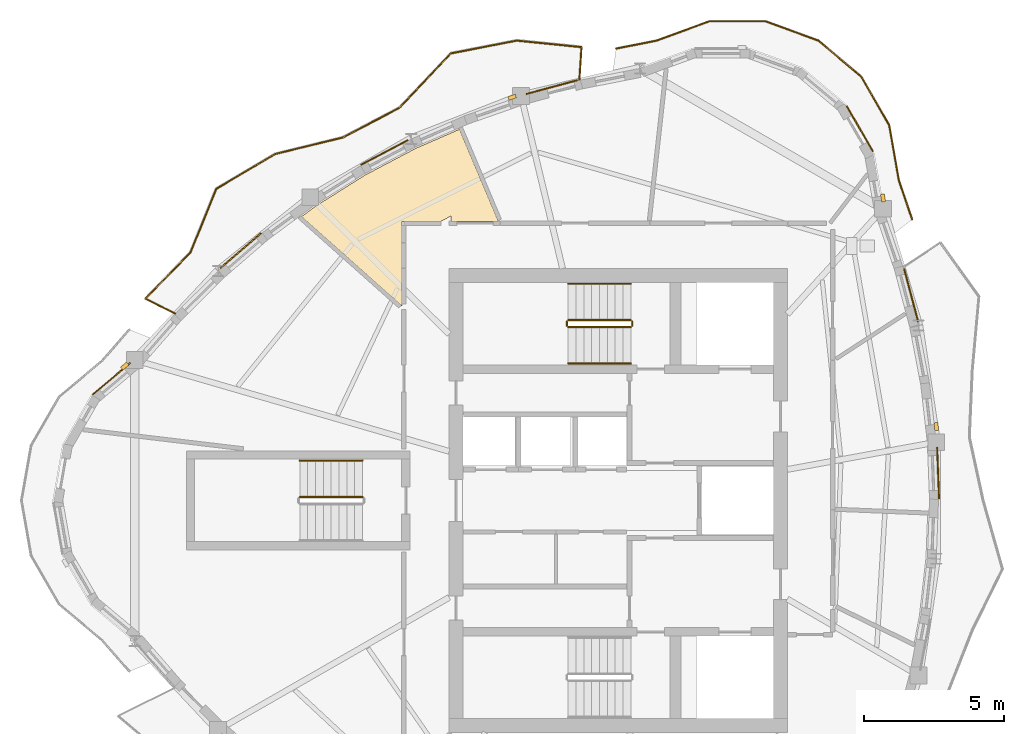
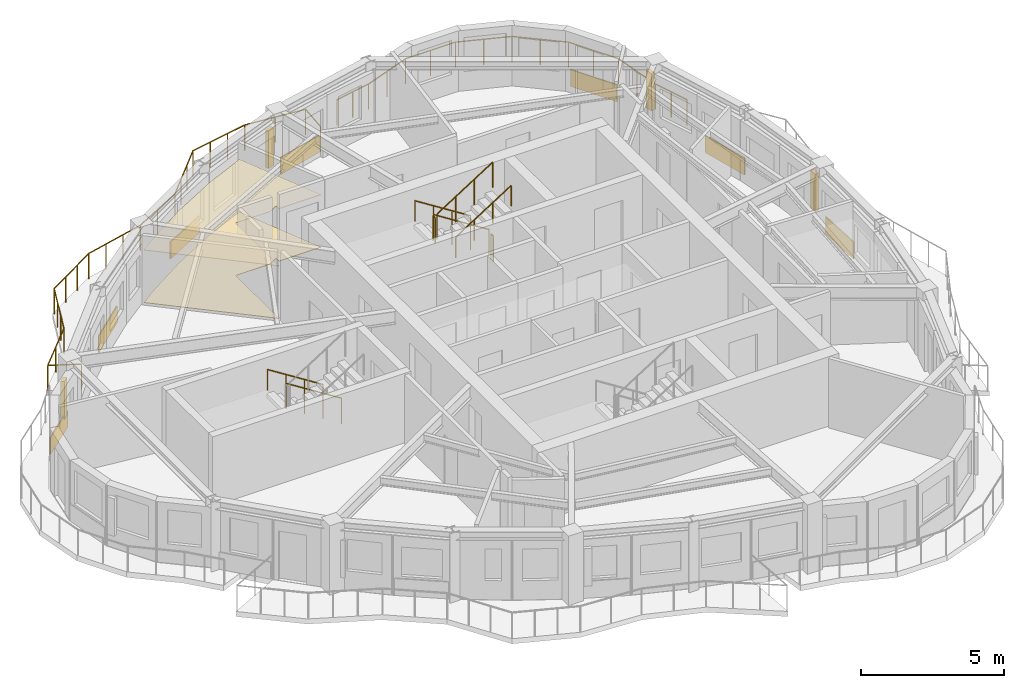
# One storey, part 10 of 12: 10 railings, 9 coverings, 4 shading devices.
"""IFC4 building model written with IfcOpenShell, lengths in metres."""

from ifc_helpers import new_model, si_unit, direction, frame, origin, origin_2d, place, context, subcontext, project, spatial, polyline, rectangle, circle, outline, extrude, source, transform, mapped, material, layer, layer_set, type_object, element, save


model = new_model("IFC4")

# Units and contexts
model_context = context("Model", 3, precision=1e-05, world=origin(), true_north=direction((0.0, 1.0)))
body_context = subcontext(model_context, "Body", "Model", "MODEL_VIEW")
ifc_project = project(units=[si_unit("LENGTHUNIT", "METRE"), si_unit("AREAUNIT", "SQUARE_METRE"), si_unit("VOLUMEUNIT", "CUBIC_METRE"), si_unit("PLANEANGLEUNIT", "RADIAN"), si_unit("MASSUNIT", "GRAM", prefix="KILO")], contexts=[model_context])

# Site, building, storey
site_placement = place(None, origin())
site = spatial("IfcSite", under=ifc_project, at=site_placement, CompositionType="ELEMENT")
building_placement = place(site_placement, origin())
building = spatial("IfcBuilding", under=site, at=building_placement, Name="Qafzar Sky-Pleat Residences", CompositionType="ELEMENT")
storey_placement = place(building_placement, frame((0.0, 0.0, 224.39990234375)))
storey = spatial("IfcBuildingStorey", under=building, at=storey_placement, Name="L67", CompositionType="ELEMENT", Elevation=224.39990234375)

# Coverings
ifc_material_1 = material(Name="Perforated acoustic gypsum board ceiling")
ifc_layer_1 = layer(ifc_material_1, 0.02001953125)
ifc_layer_set_1 = layer_set([ifc_layer_1], Name="Perforated acoustic gypsum board ceiling")
covering_type_1 = type_object("IfcCoveringType", Name="COV-CEIL-ACOUSTIC", PredefinedType="CEILING", material=ifc_layer_set_1)
covering_1_placement = place(storey_placement, frame((0.0, 0.0, 2.239990234375)))
element("IfcCovering", 1, at=covering_1_placement, inside=storey, type_object=covering_type_1, Name="L67 Co-Living Lounge Acoustic Ceiling", PredefinedType="CEILING", context=body_context, shape_type="SweptSolid", body=[
    extrude(outline(polyline([(19.53955078125, 36.53759765625), (21.282958984375, 37.634521484375), (23.1044921875, 38.595703125), (24.669677734375, 39.276123046875), (26.063720703125, 35.97998046875), (24.360107421875, 35.97998046875), (24.360107421875, 36.17138671875), (23.997314453125, 35.97998046875), (22.6201171875, 35.97998046875), (22.6201171875, 32.951171875), (19.018798828125, 36.152099609375), (19.53955078125, 36.53759765625)])), origin(), (0.0, 0.0, 1.0), 0.02001953125),
])
ifc_material_2 = material(Name="Honed porcelain and Riyadh stone tile flooring", Category="masonry")
ifc_layer_2 = layer(ifc_material_2, 0.02001953125)
ifc_layer_set_2 = layer_set([ifc_layer_2], Name="Honed porcelain and Riyadh stone tile flooring")
covering_type_2 = type_object("IfcCoveringType", Name="COV-FLR-PORCELAIN", PredefinedType="FLOORING", material=ifc_layer_set_2)
covering_2_placement = place(storey_placement, origin())
element("IfcCovering", 2, at=covering_2_placement, inside=storey, type_object=covering_type_2, Name="L67 Co-Living Lounge Honed Stone Flooring", PredefinedType="FLOORING", context=body_context, shape_type="SweptSolid", body=[
    extrude(outline(polyline([(19.53955078125, 36.53759765625), (21.282958984375, 37.634521484375), (23.1044921875, 38.595703125), (24.669677734375, 39.276123046875), (26.063720703125, 35.97998046875), (24.360107421875, 35.97998046875), (24.360107421875, 36.17138671875), (23.997314453125, 35.97998046875), (22.6201171875, 35.97998046875), (22.6201171875, 32.951171875), (19.018798828125, 36.152099609375), (19.53955078125, 36.53759765625)])), origin(), (0.0, 0.0, 1.0), 0.02001953125),
])

# Shading devices
ifc_material_3 = material(Name="Honed Riyadh limestone solar fin", Category="masonry")
ifc_layer_3 = layer(ifc_material_3, 0.139892578125)
ifc_layer_set_3 = layer_set([ifc_layer_3], Name="Honed Riyadh limestone solar fin")
shading_device_type = type_object("IfcShadingDeviceType", Name="SHD-FIN-STONE", PredefinedType="SHUTTER", material=ifc_layer_set_3)
shared_shape_1 = source(origin(), body_context, "Body", "SweptSolid", [
    extrude(rectangle(XDim=0.139892578125, YDim=0.280029296875, at=origin_2d()), origin(), (0.0, 0.0, 1.0), 1.60009765625),
])
for number, where, z_axis, x_axis, name in (
    (3, (12.6982421875, 30.808349609375, 0.60009765625), (0.0, 0.0, 1.0), (-0.642754210861, 0.76607246682, 0.0), "L67 Limestone Solar Fin 1"),
    (4, (41.72705078125, 28.64404296875, 0.60009765625), (0.0, 0.0, 1.0), (0.993560733934, 0.113300785454, 0.0), "L67 Limestone Solar Fin 29"),
    (5, (39.8203125, 36.8173828125, 0.60009765625), (0.0, 0.0, 1.0), (0.984806040716, 0.173657888303, 0.0), "L67 Limestone Solar Fin 33"),
    (6, (26.555419921875, 40.423828125, 0.60009765625), (0.0, 0.0, 1.0), (-0.329574239936, 0.944129662902, 0.0), "L67 Limestone Solar Fin 41"),
):
    element("IfcShadingDevice", number, at=place(storey_placement, frame(where, z_axis=z_axis, x_axis=x_axis)), inside=storey, type_object=shading_device_type, Name=name, PredefinedType="SHUTTER", context=body_context, shape_type="MappedRepresentation", body=[
        mapped(shared_shape_1, transform((0.0, 0.0, 0.0), x_axis=(1.0, 0.0, 0.0), y_axis=(0.0, 1.0, 0.0), z_axis=(0.0, 0.0, 1.0), scale=1.0)),
    ])

# Coverings
ifc_material_4 = material(Name="Honed Riyadh Tuwaiq limestone cladding", Category="masonry")
ifc_layer_4 = layer(ifc_material_4, 0.044921875)
ifc_layer_set_4 = layer_set([ifc_layer_4], Name="Honed Riyadh Tuwaiq limestone cladding")
covering_type_3 = type_object("IfcCoveringType", Name="COV-CLAD-STONE", PredefinedType="CLADDING", material=ifc_layer_set_4)
shared_shape_2 = source(origin(), body_context, "Body", "SweptSolid", [
    extrude(rectangle(XDim=1.881103515625, YDim=0.044921875, at=origin_2d()), origin(), (0.0, 0.0, 1.0), 0.719970703125),
])
covering_3_placement = place(storey_placement, frame((38.98828125, 39.298095703125, 0.02001953125), z_axis=(0.0, 0.0, 1.0), x_axis=(-0.499993018474, 0.866029434533, 0.0)))
element("IfcCovering", 7, at=covering_3_placement, inside=storey, type_object=covering_type_3, Name="L67 Riyadh Limestone Spandrel Cladding 34", PredefinedType="CLADDING", context=body_context, shape_type="MappedRepresentation", body=[
    mapped(shared_shape_2, transform((0.0, 0.0, 0.0), x_axis=(1.0, 0.0, 0.0), y_axis=(0.0, 1.0, 0.0), z_axis=(0.0, 0.0, 1.0), scale=1.0)),
])
shared_shape_3 = source(origin(), body_context, "Body", "SweptSolid", [
    extrude(rectangle(XDim=1.76611328125, YDim=0.044921875, at=origin_2d()), origin(), (0.0, 0.0, 1.0), 0.719970703125),
])
covering_4_placement = place(storey_placement, frame((12.22021484375, 30.351318359375, 0.02001953125), z_axis=(0.0, 0.0, 1.0), x_axis=(-0.76607417096, -0.642752179762, 0.0)))
element("IfcCovering", 8, at=covering_4_placement, inside=storey, type_object=covering_type_3, Name="L67 Riyadh Limestone Spandrel Cladding 1", PredefinedType="CLADDING", context=body_context, shape_type="MappedRepresentation", body=[
    mapped(shared_shape_3, transform((0.0, 0.0, 0.0), x_axis=(1.0, 0.0, 0.0), y_axis=(0.0, 1.0, 0.0), z_axis=(0.0, 0.0, 1.0), scale=1.0)),
])

# Railings
ifc_material_5 = material(Name="Laminated glass and bronze steel balustrade", Category="steel")
railing_type_1 = type_object("IfcRailingType", Name="RAIL-BAL-1100", PredefinedType="BALUSTRADE", material=ifc_material_5)
shared_shape_4 = source(origin(), body_context, "Body", "SweptSolid", [
    extrude(circle(Radius=0.02392578125, at=origin_2d()), frame((0.0, 0.0, 1.076171875), z_axis=(0.063836302809, 0.997960383203, 0.0), x_axis=(-0.997960383203, 0.063836302809, 0.0)), (0.0, 0.0, 1.0), 1.177978515625),
    extrude(circle(Radius=0.02392578125, at=origin_2d()), frame((0.0751953125, 1.175537109375, 1.076171875), z_axis=(-0.994932736042, 0.10054278071, 0.0), x_axis=(-0.10054278071, -0.994932736042, 0.0)), (0.0, 0.0, 1.0), 2.326171875),
    extrude(circle(Radius=0.02392578125, at=origin_2d()), frame((-2.2392578125, 1.409423828125, 1.076171875), z_axis=(-0.981652948308, -0.190676398848, 0.0), x_axis=(0.190676398848, -0.981652948308, 0.0)), (0.0, 0.0, 1.0), 2.400634765625),
    extrude(circle(Radius=0.02392578125, at=origin_2d()), frame((-4.595947265625, 0.95166015625, 1.076171875), z_axis=(-0.687908056889, -0.725797840495, 0.0), x_axis=(0.725797840495, -0.687908056889, 0.0)), (0.0, 0.0, 1.0), 2.693359375),
    extrude(circle(Radius=0.02392578125, at=origin_2d()), frame((-6.44873046875, -1.003173828125, 1.076171875), z_axis=(-0.88578094694, -0.464103559605, 0.0), x_axis=(0.464103559605, -0.88578094694, 0.0)), (0.0, 0.0, 1.0), 2.267333984375),
    extrude(circle(Radius=0.02392578125, at=origin_2d()), frame((-8.45703125, -2.055419921875, 1.076171875), z_axis=(-0.971598054586, -0.236637318117, 0.0), x_axis=(0.236637318117, -0.971598054586, 0.0)), (0.0, 0.0, 1.0), 2.4853515625),
    extrude(circle(Radius=0.02392578125, at=origin_2d()), frame((-10.871826171875, -2.6435546875, 1.076171875), z_axis=(-0.861050876523, -0.508518817783, 0.0), x_axis=(0.508518817783, -0.861050876523, 0.0)), (0.0, 0.0, 1.0), 2.4619140625),
    extrude(circle(Radius=0.02392578125, at=origin_2d()), frame((-12.99169921875, -3.8955078125, 1.076171875), z_axis=(-0.374628309725, -0.927175080312, 0.0), x_axis=(0.927175080312, -0.374628309725, 0.0)), (0.0, 0.0, 1.0), 2.442626953125),
    extrude(circle(Radius=0.02392578125, at=origin_2d()), frame((-13.90673828125, -6.16015625, 1.076171875), z_axis=(-0.695284786917, -0.718734349452, 0.0), x_axis=(0.718734349452, -0.695284786917, 0.0)), (0.0, 0.0, 1.0), 2.32177734375),
    extrude(circle(Radius=0.02392578125, at=origin_2d()), frame((-15.52099609375, -7.828857421875, 1.076171875), z_axis=(0.896038070146, -0.443977225596, 0.0), x_axis=(0.443977225596, 0.896038070146, 0.0)), (0.0, 0.0, 1.0), 1.177978515625),
    extrude(circle(Radius=0.02099609375, at=origin_2d()), origin(), (0.0, 0.0, 1.0), 1.052001953125),
    extrude(circle(Radius=0.02099609375, at=origin_2d()), frame((0.0751953125, 1.175537109375, 0.0)), (0.0, 0.0, 1.0), 1.052001953125),
    extrude(circle(Radius=0.02099609375, at=origin_2d()), frame((-1.08203125, 1.29248046875, 0.0)), (0.0, 0.0, 1.0), 1.052001953125),
    extrude(circle(Radius=0.02099609375, at=origin_2d()), frame((-2.2392578125, 1.409423828125, 0.0)), (0.0, 0.0, 1.0), 1.052001953125),
    extrude(circle(Radius=0.02099609375, at=origin_2d()), frame((-3.02490234375, 1.2568359375, 0.0)), (0.0, 0.0, 1.0), 1.052001953125),
    extrude(circle(Radius=0.02099609375, at=origin_2d()), frame((-3.810302734375, 1.104248046875, 0.0)), (0.0, 0.0, 1.0), 1.052001953125),
    extrude(circle(Radius=0.02099609375, at=origin_2d()), frame((-4.595947265625, 0.95166015625, 0.0)), (0.0, 0.0, 1.0), 1.052001953125),
    extrude(circle(Radius=0.02099609375, at=origin_2d()), frame((-5.213623046875, 0.300048828125, 0.0)), (0.0, 0.0, 1.0), 1.052001953125),
    extrude(circle(Radius=0.02099609375, at=origin_2d()), frame((-5.8310546875, -0.3515625, 0.0)), (0.0, 0.0, 1.0), 1.052001953125),
    extrude(circle(Radius=0.02099609375, at=origin_2d()), frame((-6.44873046875, -1.003173828125, 0.0)), (0.0, 0.0, 1.0), 1.052001953125),
    extrude(circle(Radius=0.02099609375, at=origin_2d()), frame((-7.452880859375, -1.529296875, 0.0)), (0.0, 0.0, 1.0), 1.052001953125),
    extrude(circle(Radius=0.02099609375, at=origin_2d()), frame((-8.45703125, -2.055419921875, 0.0)), (0.0, 0.0, 1.0), 1.052001953125),
    extrude(circle(Radius=0.02099609375, at=origin_2d()), frame((-9.261962890625, -2.25146484375, 0.0)), (0.0, 0.0, 1.0), 1.052001953125),
    extrude(circle(Radius=0.02099609375, at=origin_2d()), frame((-10.06689453125, -2.447509765625, 0.0)), (0.0, 0.0, 1.0), 1.052001953125),
    extrude(circle(Radius=0.02099609375, at=origin_2d()), frame((-10.871826171875, -2.6435546875, 0.0)), (0.0, 0.0, 1.0), 1.052001953125),
    extrude(circle(Radius=0.02099609375, at=origin_2d()), frame((-11.578369140625, -3.060791015625, 0.0)), (0.0, 0.0, 1.0), 1.052001953125),
    extrude(circle(Radius=0.02099609375, at=origin_2d()), frame((-12.28515625, -3.478271484375, 0.0)), (0.0, 0.0, 1.0), 1.052001953125),
    extrude(circle(Radius=0.02099609375, at=origin_2d()), frame((-12.99169921875, -3.8955078125, 0.0)), (0.0, 0.0, 1.0), 1.052001953125),
    extrude(circle(Radius=0.02099609375, at=origin_2d()), frame((-13.296630859375, -4.650390625, 0.0)), (0.0, 0.0, 1.0), 1.052001953125),
    extrude(circle(Radius=0.02099609375, at=origin_2d()), frame((-13.601806640625, -5.4052734375, 0.0)), (0.0, 0.0, 1.0), 1.052001953125),
    extrude(circle(Radius=0.02099609375, at=origin_2d()), frame((-13.90673828125, -6.16015625, 0.0)), (0.0, 0.0, 1.0), 1.052001953125),
    extrude(circle(Radius=0.02099609375, at=origin_2d()), frame((-14.7138671875, -6.99462890625, 0.0)), (0.0, 0.0, 1.0), 1.052001953125),
    extrude(circle(Radius=0.02099609375, at=origin_2d()), frame((-15.52099609375, -7.828857421875, 0.0)), (0.0, 0.0, 1.0), 1.052001953125),
    extrude(circle(Radius=0.02099609375, at=origin_2d()), frame((-14.465576171875, -8.351806640625, 0.0)), (0.0, 0.0, 1.0), 1.052001953125),
])
railing_1_placement = place(storey_placement, frame((28.959716796875, 41.041015625, 0.0)))
element("IfcRailing", 9, at=railing_1_placement, inside=storey, type_object=railing_type_1, Name="L67 Pleated Balcony 2 Balustrade", PredefinedType="BALUSTRADE", context=body_context, shape_type="MappedRepresentation", body=[
    mapped(shared_shape_4, transform((0.0, 0.0, 0.0), x_axis=(1.0, 0.0, 0.0), y_axis=(0.0, 1.0, 0.0), z_axis=(0.0, 0.0, 1.0), scale=1.0)),
])
shared_shape_5 = source(origin(), body_context, "Body", "SweptSolid", [
    extrude(circle(Radius=0.02392578125, at=origin_2d()), frame((0.0, 0.0, 1.076171875), z_axis=(0.981044131941, 0.193784445155, 0.0), x_axis=(-0.193784445155, 0.981044131941, 0.0)), (0.0, 0.0, 1.0), 1.47021484375),
    extrude(circle(Radius=0.02392578125, at=origin_2d()), frame((1.4423828125, 0.284912109375, 1.076171875), z_axis=(0.93922125306, 0.343312449237, 0.0), x_axis=(-0.343312449237, 0.93922125306, 0.0)), (0.0, 0.0, 1.0), 2.01025390625),
    extrude(circle(Radius=0.02392578125, at=origin_2d()), frame((3.33056640625, 0.97509765625, 1.076171875), z_axis=(0.999999527671, 0.000971934907, 0.0), x_axis=(-0.000971934907, 0.999999527671, 0.0)), (0.0, 0.0, 1.0), 2.009521484375),
    extrude(circle(Radius=0.02392578125, at=origin_2d()), frame((5.340087890625, 0.97705078125, 1.076171875), z_axis=(0.939807614371, -0.341704035636, 0.0), x_axis=(0.341704035636, 0.939807614371, 0.0)), (0.0, 0.0, 1.0), 2.009033203125),
    extrude(circle(Radius=0.02392578125, at=origin_2d()), frame((7.228271484375, 0.29052734375, 1.076171875), z_axis=(0.76585564406, -0.64301254456, 0.0), x_axis=(0.64301254456, 0.76585564406, 0.0)), (0.0, 0.0, 1.0), 2.00927734375),
    extrude(circle(Radius=0.02392578125, at=origin_2d()), frame((8.76708984375, -1.00146484375, 1.076171875), z_axis=(0.499119285715, -0.866533287663, 0.0), x_axis=(0.866533287663, 0.499119285715, 0.0)), (0.0, 0.0, 1.0), 2.00927734375),
    extrude(circle(Radius=0.02392578125, at=origin_2d()), frame((9.77001953125, -2.74267578125, 1.076171875), z_axis=(0.17230963809, -0.985042835932, 0.0), x_axis=(0.985042835932, 0.17230963809, 0.0)), (0.0, 0.0, 1.0), 2.010498046875),
    extrude(circle(Radius=0.02392578125, at=origin_2d()), frame((10.116455078125, -4.72314453125, 1.076171875), z_axis=(0.322646879195, -0.946519408858, 0.0), x_axis=(0.946519408858, 0.322646879195, 0.0)), (0.0, 0.0, 1.0), 1.47021484375),
    extrude(circle(Radius=0.02099609375, at=origin_2d()), origin(), (0.0, 0.0, 1.0), 1.052001953125),
    extrude(circle(Radius=0.02099609375, at=origin_2d()), frame((0.72119140625, 0.142578125, 0.0)), (0.0, 0.0, 1.0), 1.052001953125),
    extrude(circle(Radius=0.02099609375, at=origin_2d()), frame((1.4423828125, 0.284912109375, 0.0)), (0.0, 0.0, 1.0), 1.052001953125),
    extrude(circle(Radius=0.02099609375, at=origin_2d()), frame((2.386474609375, 0.6298828125, 0.0)), (0.0, 0.0, 1.0), 1.052001953125),
    extrude(circle(Radius=0.02099609375, at=origin_2d()), frame((3.33056640625, 0.97509765625, 0.0)), (0.0, 0.0, 1.0), 1.052001953125),
    extrude(circle(Radius=0.02099609375, at=origin_2d()), frame((4.33544921875, 0.97607421875, 0.0)), (0.0, 0.0, 1.0), 1.052001953125),
    extrude(circle(Radius=0.02099609375, at=origin_2d()), frame((5.340087890625, 0.97705078125, 0.0)), (0.0, 0.0, 1.0), 1.052001953125),
    extrude(circle(Radius=0.02099609375, at=origin_2d()), frame((6.2841796875, 0.6337890625, 0.0)), (0.0, 0.0, 1.0), 1.052001953125),
    extrude(circle(Radius=0.02099609375, at=origin_2d()), frame((7.228271484375, 0.29052734375, 0.0)), (0.0, 0.0, 1.0), 1.052001953125),
    extrude(circle(Radius=0.02099609375, at=origin_2d()), frame((7.99755859375, -0.35546875, 0.0)), (0.0, 0.0, 1.0), 1.052001953125),
    extrude(circle(Radius=0.02099609375, at=origin_2d()), frame((8.76708984375, -1.00146484375, 0.0)), (0.0, 0.0, 1.0), 1.052001953125),
    extrude(circle(Radius=0.02099609375, at=origin_2d()), frame((9.2685546875, -1.8720703125, 0.0)), (0.0, 0.0, 1.0), 1.052001953125),
    extrude(circle(Radius=0.02099609375, at=origin_2d()), frame((9.77001953125, -2.74267578125, 0.0)), (0.0, 0.0, 1.0), 1.052001953125),
    extrude(circle(Radius=0.02099609375, at=origin_2d()), frame((9.943359375, -3.73291015625, 0.0)), (0.0, 0.0, 1.0), 1.052001953125),
    extrude(circle(Radius=0.02099609375, at=origin_2d()), frame((10.116455078125, -4.72314453125, 0.0)), (0.0, 0.0, 1.0), 1.052001953125),
    extrude(circle(Radius=0.02099609375, at=origin_2d()), frame((10.353515625, -5.4189453125, 0.0)), (0.0, 0.0, 1.0), 1.052001953125),
    extrude(circle(Radius=0.02099609375, at=origin_2d()), frame((10.5908203125, -6.11474609375, 0.0)), (0.0, 0.0, 1.0), 1.052001953125),
])
railing_2_placement = place(storey_placement, frame((30.271728515625, 42.1640625, 0.0)))
element("IfcRailing", 10, at=railing_2_placement, inside=storey, type_object=railing_type_1, Name="L67 Corner Terrace 2 Balustrade", PredefinedType="BALUSTRADE", context=body_context, shape_type="MappedRepresentation", body=[
    mapped(shared_shape_5, transform((0.0, 0.0, 0.0), x_axis=(1.0, 0.0, 0.0), y_axis=(0.0, 1.0, 0.0), z_axis=(0.0, 0.0, 1.0), scale=1.0)),
])

# Coverings
shared_shape_6 = source(origin(), body_context, "Body", "SweptSolid", [
    extrude(rectangle(XDim=1.832275390625, YDim=0.044921875, at=origin_2d()), origin(), (0.0, 0.0, 1.0), 0.719970703125),
])
covering_5_placement = place(storey_placement, frame((41.789306640625, 26.97998046875, 0.02001953125), z_axis=(0.0, 0.0, 1.0), x_axis=(-0.037970925953, 0.999278844358, 0.0)))
element("IfcCovering", 11, at=covering_5_placement, inside=storey, type_object=covering_type_3, Name="L67 Riyadh Limestone Spandrel Cladding 28", PredefinedType="CLADDING", context=body_context, shape_type="MappedRepresentation", body=[
    mapped(shared_shape_6, transform((0.0, 0.0, 0.0), x_axis=(1.0, 0.0, 0.0), y_axis=(0.0, 1.0, 0.0), z_axis=(0.0, 0.0, 1.0), scale=1.0)),
])
shared_shape_7 = source(origin(), body_context, "Body", "SweptSolid", [
    extrude(rectangle(XDim=1.958984375, YDim=0.044921875, at=origin_2d()), origin(), (0.0, 0.0, 1.0), 0.719970703125),
])
covering_6_placement = place(storey_placement, frame((40.8271484375, 33.335693359375, 0.02001953125), z_axis=(0.0, 0.0, 1.0), x_axis=(-0.257036396739, 0.966401723276, 0.0)))
element("IfcCovering", 12, at=covering_6_placement, inside=storey, type_object=covering_type_3, Name="L67 Riyadh Limestone Spandrel Cladding 31", PredefinedType="CLADDING", context=body_context, shape_type="MappedRepresentation", body=[
    mapped(shared_shape_7, transform((0.0, 0.0, 0.0), x_axis=(1.0, 0.0, 0.0), y_axis=(0.0, 1.0, 0.0), z_axis=(0.0, 0.0, 1.0), scale=1.0)),
])
shared_shape_8 = source(origin(), body_context, "Body", "SweptSolid", [
    extrude(rectangle(XDim=1.89599609375, YDim=0.044921875, at=origin_2d()), origin(), (0.0, 0.0, 1.0), 0.719970703125),
])
covering_7_placement = place(storey_placement, frame((27.972900390625, 40.78564453125, 0.02001953125), z_axis=(0.0, 0.0, 1.0), x_axis=(-0.965462520828, -0.260541975268, 0.0)))
element("IfcCovering", 13, at=covering_7_placement, inside=storey, type_object=covering_type_3, Name="L67 Riyadh Limestone Spandrel Cladding 40", PredefinedType="CLADDING", context=body_context, shape_type="MappedRepresentation", body=[
    mapped(shared_shape_8, transform((0.0, 0.0, 0.0), x_axis=(1.0, 0.0, 0.0), y_axis=(0.0, 1.0, 0.0), z_axis=(0.0, 0.0, 1.0), scale=1.0)),
])
shared_shape_9 = source(origin(), body_context, "Body", "SweptSolid", [
    extrude(rectangle(XDim=1.895263671875, YDim=0.044921875, at=origin_2d()), origin(), (0.0, 0.0, 1.0), 0.719970703125),
])
covering_8_placement = place(storey_placement, frame((21.985107421875, 38.4482421875, 0.02001953125), z_axis=(0.0, 0.0, 1.0), x_axis=(-0.884380941117, -0.466765841713, 0.0)))
element("IfcCovering", 14, at=covering_8_placement, inside=storey, type_object=covering_type_3, Name="L67 Riyadh Limestone Spandrel Cladding 43", PredefinedType="CLADDING", context=body_context, shape_type="MappedRepresentation", body=[
    mapped(shared_shape_9, transform((0.0, 0.0, 0.0), x_axis=(1.0, 0.0, 0.0), y_axis=(0.0, 1.0, 0.0), z_axis=(0.0, 0.0, 1.0), scale=1.0)),
])
shared_shape_10 = source(origin(), body_context, "Body", "SweptSolid", [
    extrude(rectangle(XDim=1.927490234375, YDim=0.044921875, at=origin_2d()), origin(), (0.0, 0.0, 1.0), 0.719970703125),
])
covering_9_placement = place(storey_placement, frame((16.84619140625, 34.9365234375, 0.02001953125), z_axis=(0.0, 0.0, 1.0), x_axis=(-0.757470479573, -0.652869414643, 0.0)))
element("IfcCovering", 15, at=covering_9_placement, inside=storey, type_object=covering_type_3, Name="L67 Riyadh Limestone Spandrel Cladding 46", PredefinedType="CLADDING", context=body_context, shape_type="MappedRepresentation", body=[
    mapped(shared_shape_10, transform((0.0, 0.0, 0.0), x_axis=(1.0, 0.0, 0.0), y_axis=(0.0, 1.0, 0.0), z_axis=(0.0, 0.0, 1.0), scale=1.0)),
])

# Railings
ifc_material_6 = material(Name="Painted Steel S355 stair guardrail", Category="steel")
railing_type_2 = type_object("IfcRailingType", Name="RAIL-STAIR-GUARD", PredefinedType="GUARDRAIL", material=ifc_material_6)
shared_shape_11 = source(origin(), body_context, "Body", "SweptSolid", [
    extrude(circle(Radius=0.02392578125, at=origin_2d()), frame((0.0, 0.0, 1.076171875), z_axis=(0.0, -1.0, 0.0), x_axis=(1.0, 0.0, 0.0)), (0.0, 0.0, 1.0), 0.14990234375),
    extrude(circle(Radius=0.02099609375, at=origin_2d()), origin(), (0.0, 0.0, 1.0), 1.052001953125),
    extrude(circle(Radius=0.02099609375, at=origin_2d()), frame((0.0, -0.14990234375, 0.0)), (0.0, 0.0, 1.0), 1.052001953125),
])
for number, where, name in (
    (16, (28.510009765625, 32.39990234375, 1.60009765625), "L67 ST2 stair guard 2"),
    (17, (30.85009765625, 32.39990234375, 0.0), "L67 ST2 stair guard 4"),
):
    element("IfcRailing", number, at=place(storey_placement, frame(where)), inside=storey, type_object=railing_type_2, Name=name, PredefinedType="GUARDRAIL", context=body_context, shape_type="MappedRepresentation", body=[
        mapped(shared_shape_11, transform((0.0, 0.0, 0.0), x_axis=(1.0, 0.0, 0.0), y_axis=(0.0, 1.0, 0.0), z_axis=(0.0, 0.0, 1.0), scale=1.0)),
    ])
shared_shape_12 = source(origin(), body_context, "Body", "SweptSolid", [
    extrude(circle(Radius=0.02392578125, at=origin_2d()), frame((0.0, 0.0, 1.076171875), z_axis=(-0.8442293374, 0.0, 0.53598211339), x_axis=(0.0, -1.0, 0.0)), (0.0, 0.0, 1.0), 2.6533203125),
    extrude(circle(Radius=0.02099609375, at=origin_2d()), origin(), (0.0, 0.0, 1.0), 1.052001953125),
    extrude(circle(Radius=0.02099609375, at=origin_2d()), frame((-0.74658203125, 0.0, 0.47412109375)), (0.0, 0.0, 1.0), 1.052001953125),
    extrude(circle(Radius=0.02099609375, at=origin_2d()), frame((-1.493408203125, 0.0, 0.947998046875)), (0.0, 0.0, 1.0), 1.052001953125),
    extrude(circle(Radius=0.02099609375, at=origin_2d()), frame((-2.239990234375, 0.0, 1.422119140625)), (0.0, 0.0, 1.0), 1.052001953125),
])
for number, where, name in (
    (18, (30.800048828125, 32.449951171875, 0.177978515625), "L67 ST2 stair guard 1"),
    (19, (21.199951171875, 26.125, 0.177978515625), "L67 ST3 stair guard 1"),
):
    element("IfcRailing", number, at=place(storey_placement, frame(where)), inside=storey, type_object=railing_type_2, Name=name, PredefinedType="GUARDRAIL", context=body_context, shape_type="MappedRepresentation", body=[
        mapped(shared_shape_12, transform((0.0, 0.0, 0.0), x_axis=(1.0, 0.0, 0.0), y_axis=(0.0, 1.0, 0.0), z_axis=(0.0, 0.0, 1.0), scale=1.0)),
    ])
ifc_material_7 = material(Name="Brushed stainless steel handrail", Category="steel")
railing_type_3 = type_object("IfcRailingType", Name="RAIL-STAIR-HAND", PredefinedType="HANDRAIL", material=ifc_material_7)
shared_shape_13 = source(origin(), body_context, "Body", "SweptSolid", [
    extrude(circle(Radius=0.02392578125, at=origin_2d()), frame((0.0, 0.0, 0.8759765625), z_axis=(-0.8442293374, 0.0, 0.53598211339), x_axis=(0.0, -1.0, 0.0)), (0.0, 0.0, 1.0), 2.6533203125),
    extrude(circle(Radius=0.02099609375, at=origin_2d()), origin(), (0.0, 0.0, 1.0), 0.851806640625),
    extrude(circle(Radius=0.02099609375, at=origin_2d()), frame((-0.74658203125, 0.0, 0.47412109375)), (0.0, 0.0, 1.0), 0.851806640625),
    extrude(circle(Radius=0.02099609375, at=origin_2d()), frame((-1.493408203125, 0.0, 0.947998046875)), (0.0, 0.0, 1.0), 0.851806640625),
    extrude(circle(Radius=0.02099609375, at=origin_2d()), frame((-2.239990234375, 0.0, 1.422119140625)), (0.0, 0.0, 1.0), 0.851806640625),
])
for number, where, name in (
    (20, (30.800048828125, 33.75, 0.177978515625), "L67 ST2 stair handrail 1"),
    (21, (21.199951171875, 27.425048828125, 0.177978515625), "L67 ST3 stair handrail 1"),
):
    element("IfcRailing", number, at=place(storey_placement, frame(where)), inside=storey, type_object=railing_type_3, Name=name, PredefinedType="HANDRAIL", context=body_context, shape_type="MappedRepresentation", body=[
        mapped(shared_shape_13, transform((0.0, 0.0, 0.0), x_axis=(1.0, 0.0, 0.0), y_axis=(0.0, 1.0, 0.0), z_axis=(0.0, 0.0, 1.0), scale=1.0)),
    ])
shared_shape_14 = source(origin(), body_context, "Body", "SweptSolid", [
    extrude(circle(Radius=0.02392578125, at=origin_2d()), frame((0.0, 0.0, 1.076171875), z_axis=(0.84418770128, 0.0, 0.536047689118), x_axis=(0.0, 1.0, 0.0)), (0.0, 0.0, 1.0), 2.6533203125),
    extrude(circle(Radius=0.02099609375, at=origin_2d()), origin(), (0.0, 0.0, 1.0), 1.052001953125),
    extrude(circle(Radius=0.02099609375, at=origin_2d()), frame((0.74658203125, 0.0, 0.47412109375)), (0.0, 0.0, 1.0), 1.052001953125),
    extrude(circle(Radius=0.02099609375, at=origin_2d()), frame((1.493408203125, 0.0, 0.9482421875)), (0.0, 0.0, 1.0), 1.052001953125),
    extrude(circle(Radius=0.02099609375, at=origin_2d()), frame((2.239990234375, 0.0, 1.42236328125)), (0.0, 0.0, 1.0), 1.052001953125),
])
railing_3_placement = place(storey_placement, frame((28.56005859375, 32.199951171875, 1.77783203125)))
element("IfcRailing", 22, at=railing_3_placement, inside=storey, type_object=railing_type_2, Name="L67 ST2 stair guard 3", PredefinedType="GUARDRAIL", context=body_context, shape_type="MappedRepresentation", body=[
    mapped(shared_shape_14, transform((0.0, 0.0, 0.0), x_axis=(1.0, 0.0, 0.0), y_axis=(0.0, 1.0, 0.0), z_axis=(0.0, 0.0, 1.0), scale=1.0)),
])
shared_shape_15 = source(origin(), body_context, "Body", "SweptSolid", [
    extrude(circle(Radius=0.02392578125, at=origin_2d()), frame((0.0, 0.0, 0.8759765625), z_axis=(0.84418770128, 0.0, 0.536047689118), x_axis=(0.0, 1.0, 0.0)), (0.0, 0.0, 1.0), 2.6533203125),
    extrude(circle(Radius=0.02099609375, at=origin_2d()), origin(), (0.0, 0.0, 1.0), 0.851806640625),
    extrude(circle(Radius=0.02099609375, at=origin_2d()), frame((0.74658203125, 0.0, 0.47412109375)), (0.0, 0.0, 1.0), 0.851806640625),
    extrude(circle(Radius=0.02099609375, at=origin_2d()), frame((1.493408203125, 0.0, 0.9482421875)), (0.0, 0.0, 1.0), 0.851806640625),
    extrude(circle(Radius=0.02099609375, at=origin_2d()), frame((2.239990234375, 0.0, 1.42236328125)), (0.0, 0.0, 1.0), 0.851806640625),
])
railing_4_placement = place(storey_placement, frame((28.56005859375, 30.89990234375, 1.77783203125)))
element("IfcRailing", 23, at=railing_4_placement, inside=storey, type_object=railing_type_3, Name="L67 ST2 stair handrail 2", PredefinedType="HANDRAIL", context=body_context, shape_type="MappedRepresentation", body=[
    mapped(shared_shape_15, transform((0.0, 0.0, 0.0), x_axis=(1.0, 0.0, 0.0), y_axis=(0.0, 1.0, 0.0), z_axis=(0.0, 0.0, 1.0), scale=1.0)),
])

save(model, "model.ifc")
